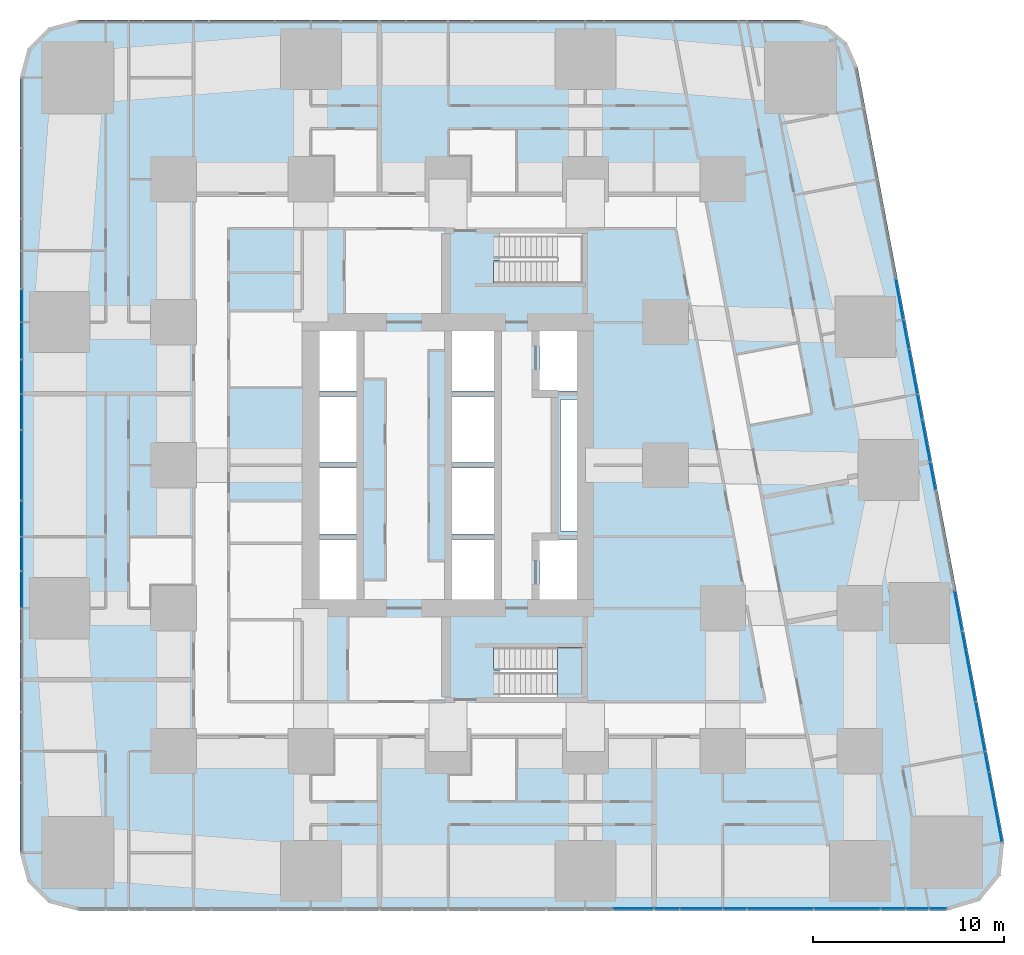
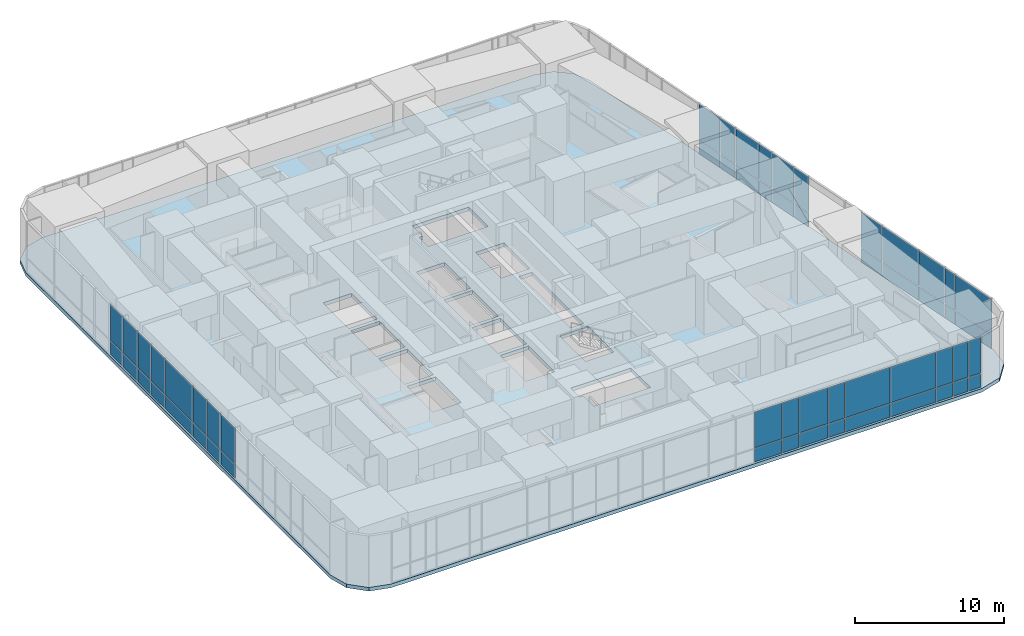
# One storey, part 10 of 22: 56 plates, 2 slabs, 4 elements without a shape of their own.
"""IFC4 building model written with IfcOpenShell, lengths in metres."""

import ifcopenshell
import ifcopenshell.guid

model = None  # the IFC model being written
_history = None  # IfcOwnerHistory: only IFC2X3 demands one
_inside = {}  # id of a spatial element -> (the spatial element, [elements in it])
_under = {}  # id of a project, library or spatial element -> (it, [spatial elements below it])
_declared = {}  # id of a project -> (the project, [libraries it declares])
_typed = {}  # id of a type object -> (the type object, [elements of that type])
_made_of = {}  # id of a material, layer set ... -> (it, [elements and type objects made of it])


def new_model(schema):
    """Start an empty IFC model of exactly this schema.

    Asked for "IFC4X3", IfcOpenShell would pick the latest addendum, in which some entities
    have other attributes; the version numbers below select the first issue.
    IFC2X3 requires an IfcOwnerHistory on every rooted entity: one is made here for all.
    """
    global model, _history
    if schema == "IFC4X3":
        model = ifcopenshell.file(schema_version=(4, 3, 0, 0))
    else:
        model = ifcopenshell.file(schema=schema)
    _inside.clear()
    _under.clear()
    _declared.clear()
    _typed.clear()
    _made_of.clear()
    _history = None
    if model.schema == "IFC2X3":
        org = make("IfcOrganization", Name="unknown")
        user = make(
            "IfcPersonAndOrganization",
            ThePerson=make("IfcPerson", FamilyName="unknown"),
            TheOrganization=org,
        )
        app = make(
            "IfcApplication",
            ApplicationDeveloper=org,
            Version="unknown",
            ApplicationFullName="unknown",
            ApplicationIdentifier="unknown",
        )
        _history = make(
            "IfcOwnerHistory",
            OwningUser=user,
            OwningApplication=app,
            ChangeAction="ADDED",
            CreationDate=0,
        )
    return model


def make(cls, **values):
    """One entity of the class cls with the attributes given. An attribute that is None is left unset."""
    return model.create_entity(
        cls, **{name: value for name, value in values.items() if value is not None}
    )


def rooted(cls, **values):
    """An entity with a GlobalId (a new one), such as an element, a storey or a relation."""
    return make(cls, GlobalId=ifcopenshell.guid.new(), OwnerHistory=_history, **values)


def si_unit(unit_type, name, prefix=None):
    """IfcSIUnit, for example si_unit("LENGTHUNIT", "METRE", prefix="MILLI")."""
    return make("IfcSIUnit", UnitType=unit_type, Prefix=prefix, Name=name)


def assignment(units):
    """IfcUnitAssignment: the units of a project."""
    return None if units is None else make("IfcUnitAssignment", Units=units)


def point(xyz):
    """IfcCartesianPoint."""
    return None if xyz is None else make("IfcCartesianPoint", Coordinates=xyz)


def direction(xyz):
    """IfcDirection."""
    return None if xyz is None else make("IfcDirection", DirectionRatios=xyz)


def frame(location, z_axis=None, x_axis=None):
    """IfcAxis2Placement3D, a coordinate frame: its origin and axes. An axis left out is left unset."""
    return make(
        "IfcAxis2Placement3D",
        Location=point(location),
        Axis=direction(z_axis),
        RefDirection=direction(x_axis),
    )


def frame_2d(location, x_axis=None):
    """IfcAxis2Placement2D, a coordinate frame in the plane: its origin and x axis."""
    return make(
        "IfcAxis2Placement2D", Location=point(location), RefDirection=direction(x_axis)
    )


def origin():
    """The frame at (0, 0, 0) with its axes left unset."""
    return frame((0.0, 0.0, 0.0))


def origin_2d():
    """The frame at (0, 0) in the plane with its x axis left unset."""
    return frame_2d((0.0, 0.0))


def place(relative_to, where):
    """IfcLocalPlacement: puts the frame where relative to a parent placement (None: the world)."""
    return make(
        "IfcLocalPlacement", PlacementRelTo=relative_to, RelativePlacement=where
    )


def context(
    kind, dimensions, precision=None, world=None, true_north=None, identifier=None
):
    """IfcGeometricRepresentationContext, for example the 3D "Model" context."""
    return make(
        "IfcGeometricRepresentationContext",
        ContextIdentifier=identifier,
        ContextType=kind,
        CoordinateSpaceDimension=dimensions,
        Precision=precision,
        WorldCoordinateSystem=world,
        TrueNorth=true_north,
    )


def subcontext(parent, identifier, kind, view, scale=None):
    """IfcGeometricRepresentationSubContext, for example "Body" below "Model"."""
    return make(
        "IfcGeometricRepresentationSubContext",
        ContextIdentifier=identifier,
        ContextType=kind,
        ParentContext=parent,
        TargetScale=scale,
        TargetView=view,
    )


def project(units=None, contexts=None):
    """IfcProject with its units and contexts."""
    return rooted(
        "IfcProject",
        Name="project",
        RepresentationContexts=contexts,
        UnitsInContext=assignment(units),
    )


def spatial(cls, under=None, at=None, **own):
    """A site, building, storey or space (cls), placed at a placement, below another one or the project."""
    s = rooted(cls, ObjectPlacement=at, **own)
    if under is not None:
        _under.setdefault(under.id(), (under, []))[1].append(s)
    return s


def polyline(points):
    """IfcPolyline through the points."""
    return make("IfcPolyline", Points=[point(p) for p in points])


def profile(cls, at=None, kind="AREA", **sizes):
    """A parametric profile (cls). Its sizes go by their IFC names, for example OverallWidth=200.0."""
    return make(cls, ProfileType=kind, Position=at, **sizes)


def rectangle(**sizes):
    """IfcRectangleProfileDef."""
    return profile("IfcRectangleProfileDef", **sizes)


def outline(outer, holes=None, kind="AREA"):
    """IfcArbitraryClosedProfileDef: a profile drawn as a closed curve; with holes, ...WithVoids."""
    if holes is None:
        return make("IfcArbitraryClosedProfileDef", ProfileType=kind, OuterCurve=outer)
    return make(
        "IfcArbitraryProfileDefWithVoids",
        ProfileType=kind,
        OuterCurve=outer,
        InnerCurves=holes,
    )


def extrude(swept, where, along, depth):
    """IfcExtrudedAreaSolid: the profile swept, set in the frame where, extruded along a direction by depth."""
    return make(
        "IfcExtrudedAreaSolid",
        SweptArea=swept,
        Position=where,
        ExtrudedDirection=direction(along),
        Depth=depth,
    )


def shape(context_of_items, identifier, shape_type, items):
    """IfcShapeRepresentation: the items that make up one representation, for example the "Body"."""
    return make(
        "IfcShapeRepresentation",
        ContextOfItems=context_of_items,
        RepresentationIdentifier=identifier,
        RepresentationType=shape_type,
        Items=items,
    )


def material(Name=None, Category=None):
    """IfcMaterial."""
    return make("IfcMaterial", Name=Name, Category=Category)


def layer(
    of_material, thickness, ventilated=None, Name=None, Category=None, Priority=None
):
    """IfcMaterialLayer: one layer of a wall or slab, of a material (None: an air gap)."""
    return make(
        "IfcMaterialLayer",
        Material=of_material,
        LayerThickness=thickness,
        IsVentilated=ventilated,
        Name=Name,
        Category=Category,
        Priority=Priority,
    )


def layer_set(layers, Name=None):
    """IfcMaterialLayerSet."""
    return make("IfcMaterialLayerSet", MaterialLayers=layers, LayerSetName=Name)


def made_of(thing, what):
    """Note that an element or type object is made of a material, layer set ...; save() writes the relation."""
    if what is not None:
        _made_of.setdefault(what.id(), (what, []))[1].append(thing)
    return thing


def type_object(cls, material=None, **own):
    """A type object (cls), such as IfcWallType, which elements share."""
    return made_of(rooted(cls, **own), material)


def element(
    cls,
    number,
    at=None,
    inside=None,
    cuts=None,
    type_object=None,
    material=None,
    context=None,
    identifier="Body",
    shape_type=None,
    held_by="IfcProductDefinitionShape",
    body=None,
    shapes=None,
    **own,
):
    """One element of the class cls, such as IfcWall. Its Tag is "e" and its number.

    at: its placement. inside: the storey or other place that contains it. cuts: it is an
    opening in that element (IfcRelVoidsElement). A single representation is given by context,
    identifier, shape_type and body (its items); several are given by shapes. held_by: the class
    of the entity that holds the representations. save() writes the other relations.
    """
    e = rooted(cls, Tag="e%d" % number, ObjectPlacement=at, **own)
    if body is not None:
        shapes = [shape(context, identifier, shape_type, body)]
    if shapes is not None:
        e.Representation = make(held_by, Representations=shapes)
    if inside is not None:
        _inside.setdefault(inside.id(), (inside, []))[1].append(e)
    if cuts is not None:
        rooted(
            "IfcRelVoidsElement", RelatingBuildingElement=cuts, RelatedOpeningElement=e
        )
    if type_object is not None:
        _typed.setdefault(type_object.id(), (type_object, []))[1].append(e)
    return made_of(e, material)


def aggregate(whole, parts):
    """IfcRelAggregates: a whole, such as a stair, and the parts it consists of."""
    return rooted("IfcRelAggregates", RelatingObject=whole, RelatedObjects=parts)


def save(model, path):
    """Write the relations noted so far, then the file.

    IfcRelAggregates (storeys below a building ...), IfcRelContainedInSpatialStructure (elements
    in a storey), IfcRelDefinesByType, IfcRelAssociatesMaterial and IfcRelDeclares: one each for
    every whole, place, type object, material and project.
    """
    for whole, parts in _under.values():
        aggregate(whole, parts)
    for where, things in _inside.values():
        rooted(
            "IfcRelContainedInSpatialStructure",
            RelatedElements=things,
            RelatingStructure=where,
        )
    for kind, things in _typed.values():
        rooted("IfcRelDefinesByType", RelatedObjects=things, RelatingType=kind)
    for what, things in _made_of.values():
        rooted("IfcRelAssociatesMaterial", RelatedObjects=things, RelatingMaterial=what)
    for by, libraries in _declared.values():
        rooted("IfcRelDeclares", RelatingContext=by, RelatedDefinitions=libraries)
    model.write(path)


model = new_model("IFC4")

# Units and contexts
model_context = context("Model", 3, precision=1e-05, world=origin(), true_north=direction((0.0, 1.0)))
body_context = subcontext(model_context, "Body", "Model", "MODEL_VIEW")
ifc_project = project(units=[si_unit("LENGTHUNIT", "METRE"), si_unit("AREAUNIT", "SQUARE_METRE"), si_unit("VOLUMEUNIT", "CUBIC_METRE"), si_unit("PLANEANGLEUNIT", "RADIAN"), si_unit("MASSUNIT", "GRAM", prefix="KILO")], contexts=[model_context])

# Site, building, storey
site_placement = place(None, origin())
site = spatial("IfcSite", under=ifc_project, at=site_placement, CompositionType="ELEMENT")
building_placement = place(site_placement, origin())
building = spatial("IfcBuilding", under=site, at=building_placement, Name="Sheger Commons Tower", CompositionType="ELEMENT")
storey_placement = place(building_placement, frame((0.0, 0.0, 10.10009765625)))
storey = spatial("IfcBuildingStorey", under=building, at=storey_placement, Name="L02", CompositionType="ELEMENT", Elevation=10.10009765625)

# Curtain wall, plates
ifc_material_1 = material(Name="Black aluminium curtain wall, dark tinted glazing", Category="aluminium")
curtain_wall_type = type_object("IfcCurtainWallType", Name="CURTAIN WALL CW2 HEALTH CENTRE", PredefinedType="USERDEFINED", material=ifc_material_1)
curtain_wall_1_placement = place(storey_placement, origin())
curtain_wall_1 = element("IfcCurtainWall", 1, at=curtain_wall_1_placement, inside=storey, type_object=curtain_wall_type, Name="Curtain Wall Cw2 Health Centre S1 L02", ObjectType="STICK CURTAIN WALL", PredefinedType="USERDEFINED")
ifc_material_2 = material(Name="Dark tinted double glazing", Category="glass")
ifc_layer_1 = layer(ifc_material_2, 0.031982421875)
ifc_layer_set_1 = layer_set([ifc_layer_1], Name="GLAZED PANEL 32")
plate_type = type_object("IfcPlateType", Name="GLAZED PANEL 32", PredefinedType="CURTAIN_PANEL", material=ifc_layer_set_1)
plate_1_placement = place(storey_placement, frame((31.321044921875, -0.75, 0.06494140625), z_axis=(0.0, 0.0, 1.0), x_axis=(1.0, 0.0, 0.0)))
plate_1 = element("IfcPlate", 2, at=plate_1_placement, type_object=plate_type, Name="CW2 panel 16.1", PredefinedType="CURTAIN_PANEL", context=body_context, shape_type="SweptSolid", body=[
    extrude(rectangle(XDim=2.093017578125, YDim=0.031982421875, at=origin_2d()), origin(), (0.0, 0.0, 1.0), 1.1025390625),
])
plate_2_placement = place(storey_placement, frame((31.321044921875, -0.75, 1.232421875), z_axis=(0.0, 0.0, 1.0), x_axis=(1.0, 0.0, 0.0)))
plate_2 = element("IfcPlate", 3, at=plate_2_placement, type_object=plate_type, Name="CW2 panel 16.2", PredefinedType="CURTAIN_PANEL", context=body_context, shape_type="SweptSolid", body=[
    extrude(rectangle(XDim=2.093017578125, YDim=0.031982421875, at=origin_2d()), origin(), (0.0, 0.0, 1.0), 2.902587890625),
])
plate_3_placement = place(storey_placement, frame((33.075927734375, -0.75, 0.06494140625), z_axis=(0.0, 0.0, 1.0), x_axis=(1.0, 0.0, 0.0)))
plate_3 = element("IfcPlate", 4, at=plate_3_placement, type_object=plate_type, Name="CW2 panel 17.1", PredefinedType="CURTAIN_PANEL", context=body_context, shape_type="SweptSolid", body=[
    extrude(rectangle(XDim=1.287109375, YDim=0.031982421875, at=origin_2d()), origin(), (0.0, 0.0, 1.0), 1.1025390625),
])
plate_4_placement = place(storey_placement, frame((33.075927734375, -0.75, 1.232421875), z_axis=(0.0, 0.0, 1.0), x_axis=(1.0, 0.0, 0.0)))
plate_4 = element("IfcPlate", 5, at=plate_4_placement, type_object=plate_type, Name="CW2 panel 17.2", PredefinedType="CURTAIN_PANEL", context=body_context, shape_type="SweptSolid", body=[
    extrude(rectangle(XDim=1.287109375, YDim=0.031982421875, at=origin_2d()), origin(), (0.0, 0.0, 1.0), 2.902587890625),
])
plate_5_placement = place(storey_placement, frame((34.8759765625, -0.75, 0.06494140625), z_axis=(0.0, 0.0, 1.0), x_axis=(1.0, 0.0, 0.0)))
plate_5 = element("IfcPlate", 6, at=plate_5_placement, type_object=plate_type, Name="CW2 panel 18.1", PredefinedType="CURTAIN_PANEL", context=body_context, shape_type="SweptSolid", body=[
    extrude(rectangle(XDim=2.18310546875, YDim=0.031982421875, at=origin_2d()), origin(), (0.0, 0.0, 1.0), 1.1025390625),
])
plate_6_placement = place(storey_placement, frame((34.8759765625, -0.75, 1.232421875), z_axis=(0.0, 0.0, 1.0), x_axis=(1.0, 0.0, 0.0)))
plate_6 = element("IfcPlate", 7, at=plate_6_placement, type_object=plate_type, Name="CW2 panel 18.2", PredefinedType="CURTAIN_PANEL", context=body_context, shape_type="SweptSolid", body=[
    extrude(rectangle(XDim=2.18310546875, YDim=0.031982421875, at=origin_2d()), origin(), (0.0, 0.0, 1.0), 2.902587890625),
])
plate_7_placement = place(storey_placement, frame((36.630615234375, -0.75, 0.06494140625), z_axis=(0.0, 0.0, 1.0), x_axis=(1.0, 0.0, 0.0)))
plate_7 = element("IfcPlate", 8, at=plate_7_placement, type_object=plate_type, Name="CW2 panel 19.1", PredefinedType="CURTAIN_PANEL", context=body_context, shape_type="SweptSolid", body=[
    extrude(rectangle(XDim=1.196044921875, YDim=0.031982421875, at=origin_2d()), origin(), (0.0, 0.0, 1.0), 1.1025390625),
])
plate_8_placement = place(storey_placement, frame((36.630615234375, -0.75, 1.232421875), z_axis=(0.0, 0.0, 1.0), x_axis=(1.0, 0.0, 0.0)))
plate_8 = element("IfcPlate", 9, at=plate_8_placement, type_object=plate_type, Name="CW2 panel 19.2", PredefinedType="CURTAIN_PANEL", context=body_context, shape_type="SweptSolid", body=[
    extrude(rectangle(XDim=1.196044921875, YDim=0.031982421875, at=origin_2d()), origin(), (0.0, 0.0, 1.0), 2.902587890625),
])
plate_9_placement = place(storey_placement, frame((39.01611328125, -0.75, 0.06494140625), z_axis=(0.0, 0.0, 1.0), x_axis=(1.0, 0.0, 0.0)))
plate_9 = element("IfcPlate", 10, at=plate_9_placement, type_object=plate_type, Name="CW2 panel 20.1", PredefinedType="CURTAIN_PANEL", context=body_context, shape_type="SweptSolid", body=[
    extrude(rectangle(XDim=3.445068359375, YDim=0.031982421875, at=origin_2d()), origin(), (0.0, 0.0, 1.0), 1.1025390625),
])
plate_10_placement = place(storey_placement, frame((39.01611328125, -0.75, 1.232421875), z_axis=(0.0, 0.0, 1.0), x_axis=(1.0, 0.0, 0.0)))
plate_10 = element("IfcPlate", 11, at=plate_10_placement, type_object=plate_type, Name="CW2 panel 20.2", PredefinedType="CURTAIN_PANEL", context=body_context, shape_type="SweptSolid", body=[
    extrude(rectangle(XDim=3.445068359375, YDim=0.031982421875, at=origin_2d()), origin(), (0.0, 0.0, 1.0), 2.902587890625),
])
plate_11_placement = place(storey_placement, frame((42.52587890625, -0.75, 0.06494140625), z_axis=(0.0, 0.0, 1.0), x_axis=(1.0, 0.0, 0.0)))
plate_11 = element("IfcPlate", 12, at=plate_11_placement, type_object=plate_type, Name="CW2 panel 21.1", PredefinedType="CURTAIN_PANEL", context=body_context, shape_type="SweptSolid", body=[
    extrude(rectangle(XDim=3.445068359375, YDim=0.031982421875, at=origin_2d()), origin(), (0.0, 0.0, 1.0), 1.1025390625),
])
plate_12_placement = place(storey_placement, frame((42.52587890625, -0.75, 1.232421875), z_axis=(0.0, 0.0, 1.0), x_axis=(1.0, 0.0, 0.0)))
plate_12 = element("IfcPlate", 13, at=plate_12_placement, type_object=plate_type, Name="CW2 panel 21.2", PredefinedType="CURTAIN_PANEL", context=body_context, shape_type="SweptSolid", body=[
    extrude(rectangle(XDim=3.445068359375, YDim=0.031982421875, at=origin_2d()), origin(), (0.0, 0.0, 1.0), 2.902587890625),
])
plate_13_placement = place(storey_placement, frame((44.943603515625, -0.75, 0.06494140625), z_axis=(0.0, 0.0, 1.0), x_axis=(1.0, 0.0, 0.0)))
plate_13 = element("IfcPlate", 14, at=plate_13_placement, type_object=plate_type, Name="CW2 panel 22.1", PredefinedType="CURTAIN_PANEL", context=body_context, shape_type="SweptSolid", body=[
    extrude(rectangle(XDim=1.260009765625, YDim=0.031982421875, at=origin_2d()), origin(), (0.0, 0.0, 1.0), 1.1025390625),
])
plate_14_placement = place(storey_placement, frame((44.943603515625, -0.75, 1.232421875), z_axis=(0.0, 0.0, 1.0), x_axis=(1.0, 0.0, 0.0)))
plate_14 = element("IfcPlate", 15, at=plate_14_placement, type_object=plate_type, Name="CW2 panel 22.2", PredefinedType="CURTAIN_PANEL", context=body_context, shape_type="SweptSolid", body=[
    extrude(rectangle(XDim=1.260009765625, YDim=0.031982421875, at=origin_2d()), origin(), (0.0, 0.0, 1.0), 2.902587890625),
])
plate_15_placement = place(storey_placement, frame((46.216552734375, -0.75, 0.06494140625), z_axis=(0.0, 0.0, 1.0), x_axis=(1.0, 0.0, 0.0)))
plate_15 = element("IfcPlate", 16, at=plate_15_placement, type_object=plate_type, Name="CW2 panel 23.1", PredefinedType="CURTAIN_PANEL", context=body_context, shape_type="SweptSolid", body=[
    extrude(rectangle(XDim=1.156005859375, YDim=0.031982421875, at=origin_2d()), origin(), (0.0, 0.0, 1.0), 1.1025390625),
])
plate_16_placement = place(storey_placement, frame((46.216552734375, -0.75, 1.232421875), z_axis=(0.0, 0.0, 1.0), x_axis=(1.0, 0.0, 0.0)))
plate_16 = element("IfcPlate", 17, at=plate_16_placement, type_object=plate_type, Name="CW2 panel 23.2", PredefinedType="CURTAIN_PANEL", context=body_context, shape_type="SweptSolid", body=[
    extrude(rectangle(XDim=1.156005859375, YDim=0.031982421875, at=origin_2d()), origin(), (0.0, 0.0, 1.0), 2.902587890625),
])
plate_17_placement = place(storey_placement, frame((47.292724609375, -0.75, 0.06494140625), z_axis=(0.0, 0.0, 1.0), x_axis=(1.0, 0.0, 0.0)))
plate_17 = element("IfcPlate", 18, at=plate_17_placement, type_object=plate_type, Name="CW2 panel 24.1", PredefinedType="CURTAIN_PANEL", context=body_context, shape_type="SweptSolid", body=[
    extrude(rectangle(XDim=0.866455078125, YDim=0.031982421875, at=origin_2d()), origin(), (0.0, 0.0, 1.0), 1.1025390625),
])
plate_18_placement = place(storey_placement, frame((47.292724609375, -0.75, 1.232421875), z_axis=(0.0, 0.0, 1.0), x_axis=(1.0, 0.0, 0.0)))
plate_18 = element("IfcPlate", 19, at=plate_18_placement, type_object=plate_type, Name="CW2 panel 24.2", PredefinedType="CURTAIN_PANEL", context=body_context, shape_type="SweptSolid", body=[
    extrude(rectangle(XDim=0.866455078125, YDim=0.031982421875, at=origin_2d()), origin(), (0.0, 0.0, 1.0), 2.902587890625),
])
aggregate(curtain_wall_1, [plate_1, plate_2, plate_3, plate_4, plate_5, plate_6, plate_7, plate_8, plate_9, plate_10, plate_11, plate_12, plate_13, plate_14, plate_15, plate_16, plate_17, plate_18])

curtain_wall_2_placement = place(storey_placement, origin())
curtain_wall_2 = element("IfcCurtainWall", 20, at=curtain_wall_2_placement, inside=storey, type_object=curtain_wall_type, Name="Curtain Wall Cw2 Health Centre E1 L02", ObjectType="STICK CURTAIN WALL", PredefinedType="USERDEFINED")
plate_19_placement = place(storey_placement, frame((50.30078125, 4.56787109375, 0.06494140625), z_axis=(0.0, 0.0, 1.0), x_axis=(-0.185609884918, 0.982623514181, 0.0)))
plate_19 = element("IfcPlate", 21, at=plate_19_placement, type_object=plate_type, Name="CW2 panel 1.1", PredefinedType="CURTAIN_PANEL", context=body_context, shape_type="SweptSolid", body=[
    extrude(rectangle(XDim=3.66552734375, YDim=0.031982421875, at=origin_2d()), origin(), (0.0, 0.0, 1.0), 1.1025390625),
])
plate_20_placement = place(storey_placement, frame((50.30078125, 4.56787109375, 1.232421875), z_axis=(0.0, 0.0, 1.0), x_axis=(-0.185609884918, 0.982623514181, 0.0)))
plate_20 = element("IfcPlate", 22, at=plate_20_placement, type_object=plate_type, Name="CW2 panel 1.2", PredefinedType="CURTAIN_PANEL", context=body_context, shape_type="SweptSolid", body=[
    extrude(rectangle(XDim=3.66552734375, YDim=0.031982421875, at=origin_2d()), origin(), (0.0, 0.0, 1.0), 2.902587890625),
])
plate_21_placement = place(storey_placement, frame((49.8525390625, 6.941162109375, 0.06494140625), z_axis=(0.0, 0.0, 1.0), x_axis=(-0.185609884918, 0.982623514181, 0.0)))
plate_21 = element("IfcPlate", 23, at=plate_21_placement, type_object=plate_type, Name="CW2 panel 2.1", PredefinedType="CURTAIN_PANEL", context=body_context, shape_type="SweptSolid", body=[
    extrude(rectangle(XDim=1.034912109375, YDim=0.031982421875, at=origin_2d()), origin(), (0.0, 0.0, 1.0), 1.1025390625),
])
plate_22_placement = place(storey_placement, frame((49.8525390625, 6.941162109375, 1.232421875), z_axis=(0.0, 0.0, 1.0), x_axis=(-0.185609884918, 0.982623514181, 0.0)))
plate_22 = element("IfcPlate", 24, at=plate_22_placement, type_object=plate_type, Name="CW2 panel 2.2", PredefinedType="CURTAIN_PANEL", context=body_context, shape_type="SweptSolid", body=[
    extrude(rectangle(XDim=1.034912109375, YDim=0.031982421875, at=origin_2d()), origin(), (0.0, 0.0, 1.0), 2.902587890625),
])
plate_23_placement = place(storey_placement, frame((49.503173828125, 8.789794921875, 0.06494140625), z_axis=(0.0, 0.0, 1.0), x_axis=(-0.185609884918, 0.982623514181, 0.0)))
plate_23 = element("IfcPlate", 25, at=plate_23_placement, type_object=plate_type, Name="CW2 panel 3.1", PredefinedType="CURTAIN_PANEL", context=body_context, shape_type="SweptSolid", body=[
    extrude(rectangle(XDim=2.597900390625, YDim=0.031982421875, at=origin_2d()), origin(), (0.0, 0.0, 1.0), 1.1025390625),
])
plate_24_placement = place(storey_placement, frame((49.503173828125, 8.789794921875, 1.232421875), z_axis=(0.0, 0.0, 1.0), x_axis=(-0.185609884918, 0.982623514181, 0.0)))
plate_24 = element("IfcPlate", 26, at=plate_24_placement, type_object=plate_type, Name="CW2 panel 3.2", PredefinedType="CURTAIN_PANEL", context=body_context, shape_type="SweptSolid", body=[
    extrude(rectangle(XDim=2.597900390625, YDim=0.031982421875, at=origin_2d()), origin(), (0.0, 0.0, 1.0), 2.902587890625),
])
plate_25_placement = place(storey_placement, frame((48.906982421875, 11.947021484375, 0.06494140625), z_axis=(0.0, 0.0, 1.0), x_axis=(-0.185609884918, 0.982623514181, 0.0)))
plate_25 = element("IfcPlate", 27, at=plate_25_placement, type_object=plate_type, Name="CW2 panel 4.1", PredefinedType="CURTAIN_PANEL", context=body_context, shape_type="SweptSolid", body=[
    extrude(rectangle(XDim=3.697998046875, YDim=0.031982421875, at=origin_2d()), origin(), (0.0, 0.0, 1.0), 1.1025390625),
])
plate_26_placement = place(storey_placement, frame((48.906982421875, 11.947021484375, 1.232421875), z_axis=(0.0, 0.0, 1.0), x_axis=(-0.185609884918, 0.982623514181, 0.0)))
plate_26 = element("IfcPlate", 28, at=plate_26_placement, type_object=plate_type, Name="CW2 panel 4.2", PredefinedType="CURTAIN_PANEL", context=body_context, shape_type="SweptSolid", body=[
    extrude(rectangle(XDim=3.697998046875, YDim=0.031982421875, at=origin_2d()), origin(), (0.0, 0.0, 1.0), 2.902587890625),
])
plate_27_placement = place(storey_placement, frame((48.355712890625, 14.865478515625, 0.06494140625), z_axis=(0.0, 0.0, 1.0), x_axis=(-0.185609884918, 0.982623514181, 0.0)))
plate_27 = element("IfcPlate", 29, at=plate_27_placement, type_object=plate_type, Name="CW2 panel 5.1", PredefinedType="CURTAIN_PANEL", context=body_context, shape_type="SweptSolid", body=[
    extrude(rectangle(XDim=2.112060546875, YDim=0.031982421875, at=origin_2d()), origin(), (0.0, 0.0, 1.0), 1.1025390625),
])
plate_28_placement = place(storey_placement, frame((48.355712890625, 14.865478515625, 1.232421875), z_axis=(0.0, 0.0, 1.0), x_axis=(-0.185609884918, 0.982623514181, 0.0)))
plate_28 = element("IfcPlate", 30, at=plate_28_placement, type_object=plate_type, Name="CW2 panel 5.2", PredefinedType="CURTAIN_PANEL", context=body_context, shape_type="SweptSolid", body=[
    extrude(rectangle(XDim=2.112060546875, YDim=0.031982421875, at=origin_2d()), origin(), (0.0, 0.0, 1.0), 2.902587890625),
])
plate_29_placement = place(storey_placement, frame((47.0205078125, 21.932861328125, 0.06494140625), z_axis=(0.0, 0.0, 1.0), x_axis=(-0.185609884918, 0.982623514181, 0.0)))
plate_29 = element("IfcPlate", 31, at=plate_29_placement, type_object=plate_type, Name="CW2 panel 9.1", PredefinedType="CURTAIN_PANEL", context=body_context, shape_type="SweptSolid", body=[
    extrude(rectangle(XDim=1.445068359375, YDim=0.031982421875, at=origin_2d()), origin(), (0.0, 0.0, 1.0), 1.1025390625),
])
plate_30_placement = place(storey_placement, frame((47.0205078125, 21.932861328125, 1.232421875), z_axis=(0.0, 0.0, 1.0), x_axis=(-0.185609884918, 0.982623514181, 0.0)))
plate_30 = element("IfcPlate", 32, at=plate_30_placement, type_object=plate_type, Name="CW2 panel 9.2", PredefinedType="CURTAIN_PANEL", context=body_context, shape_type="SweptSolid", body=[
    extrude(rectangle(XDim=1.445068359375, YDim=0.031982421875, at=origin_2d()), origin(), (0.0, 0.0, 1.0), 2.902587890625),
])
plate_31_placement = place(storey_placement, frame((46.67138671875, 23.78173828125, 0.06494140625), z_axis=(0.0, 0.0, 1.0), x_axis=(-0.185609884918, 0.982623514181, 0.0)))
plate_31 = element("IfcPlate", 33, at=plate_31_placement, type_object=plate_type, Name="CW2 panel 10.1", PredefinedType="CURTAIN_PANEL", context=body_context, shape_type="SweptSolid", body=[
    extrude(rectangle(XDim=2.18798828125, YDim=0.031982421875, at=origin_2d()), origin(), (0.0, 0.0, 1.0), 1.1025390625),
])
plate_32_placement = place(storey_placement, frame((46.67138671875, 23.78173828125, 1.232421875), z_axis=(0.0, 0.0, 1.0), x_axis=(-0.185609884918, 0.982623514181, 0.0)))
plate_32 = element("IfcPlate", 34, at=plate_32_placement, type_object=plate_type, Name="CW2 panel 10.2", PredefinedType="CURTAIN_PANEL", context=body_context, shape_type="SweptSolid", body=[
    extrude(rectangle(XDim=2.18798828125, YDim=0.031982421875, at=origin_2d()), origin(), (0.0, 0.0, 1.0), 2.902587890625),
])
plate_33_placement = place(storey_placement, frame((46.33544921875, 25.559814453125, 0.06494140625), z_axis=(0.0, 0.0, 1.0), x_axis=(-0.185609884918, 0.982623514181, 0.0)))
plate_33 = element("IfcPlate", 35, at=plate_33_placement, type_object=plate_type, Name="CW2 panel 11.1", PredefinedType="CURTAIN_PANEL", context=body_context, shape_type="SweptSolid", body=[
    extrude(rectangle(XDim=1.301025390625, YDim=0.031982421875, at=origin_2d()), origin(), (0.0, 0.0, 1.0), 1.1025390625),
])
plate_34_placement = place(storey_placement, frame((46.33544921875, 25.559814453125, 1.232421875), z_axis=(0.0, 0.0, 1.0), x_axis=(-0.185609884918, 0.982623514181, 0.0)))
plate_34 = element("IfcPlate", 36, at=plate_34_placement, type_object=plate_type, Name="CW2 panel 11.2", PredefinedType="CURTAIN_PANEL", context=body_context, shape_type="SweptSolid", body=[
    extrude(rectangle(XDim=1.301025390625, YDim=0.031982421875, at=origin_2d()), origin(), (0.0, 0.0, 1.0), 2.902587890625),
])
plate_35_placement = place(storey_placement, frame((45.986328125, 27.40869140625, 0.06494140625), z_axis=(0.0, 0.0, 1.0), x_axis=(-0.185609884918, 0.982623514181, 0.0)))
plate_35 = element("IfcPlate", 37, at=plate_35_placement, type_object=plate_type, Name="CW2 panel 12.1", PredefinedType="CURTAIN_PANEL", context=body_context, shape_type="SweptSolid", body=[
    extrude(rectangle(XDim=2.33203125, YDim=0.031982421875, at=origin_2d()), origin(), (0.0, 0.0, 1.0), 1.1025390625),
])
plate_36_placement = place(storey_placement, frame((45.986328125, 27.40869140625, 1.232421875), z_axis=(0.0, 0.0, 1.0), x_axis=(-0.185609884918, 0.982623514181, 0.0)))
plate_36 = element("IfcPlate", 38, at=plate_36_placement, type_object=plate_type, Name="CW2 panel 12.2", PredefinedType="CURTAIN_PANEL", context=body_context, shape_type="SweptSolid", body=[
    extrude(rectangle(XDim=2.33203125, YDim=0.031982421875, at=origin_2d()), origin(), (0.0, 0.0, 1.0), 2.902587890625),
])
plate_37_placement = place(storey_placement, frame((45.6171875, 29.362548828125, 0.06494140625), z_axis=(0.0, 0.0, 1.0), x_axis=(-0.185609884918, 0.982623514181, 0.0)))
plate_37 = element("IfcPlate", 39, at=plate_37_placement, type_object=plate_type, Name="CW2 panel 13.1", PredefinedType="CURTAIN_PANEL", context=body_context, shape_type="SweptSolid", body=[
    extrude(rectangle(XDim=1.514892578125, YDim=0.031982421875, at=origin_2d()), origin(), (0.0, 0.0, 1.0), 1.1025390625),
])
plate_38_placement = place(storey_placement, frame((45.6171875, 29.362548828125, 1.232421875), z_axis=(0.0, 0.0, 1.0), x_axis=(-0.185609884918, 0.982623514181, 0.0)))
plate_38 = element("IfcPlate", 40, at=plate_38_placement, type_object=plate_type, Name="CW2 panel 13.2", PredefinedType="CURTAIN_PANEL", context=body_context, shape_type="SweptSolid", body=[
    extrude(rectangle(XDim=1.514892578125, YDim=0.031982421875, at=origin_2d()), origin(), (0.0, 0.0, 1.0), 2.902587890625),
])
plate_39_placement = place(storey_placement, frame((45.26806640625, 31.21142578125, 0.06494140625), z_axis=(0.0, 0.0, 1.0), x_axis=(-0.185609884918, 0.982623514181, 0.0)))
plate_39 = element("IfcPlate", 41, at=plate_39_placement, type_object=plate_type, Name="CW2 panel 14.1", PredefinedType="CURTAIN_PANEL", context=body_context, shape_type="SweptSolid", body=[
    extrude(rectangle(XDim=2.117919921875, YDim=0.031982421875, at=origin_2d()), origin(), (0.0, 0.0, 1.0), 1.1025390625),
])
plate_40_placement = place(storey_placement, frame((45.26806640625, 31.21142578125, 1.232421875), z_axis=(0.0, 0.0, 1.0), x_axis=(-0.185609884918, 0.982623514181, 0.0)))
plate_40 = element("IfcPlate", 42, at=plate_40_placement, type_object=plate_type, Name="CW2 panel 14.2", PredefinedType="CURTAIN_PANEL", context=body_context, shape_type="SweptSolid", body=[
    extrude(rectangle(XDim=2.117919921875, YDim=0.031982421875, at=origin_2d()), origin(), (0.0, 0.0, 1.0), 2.902587890625),
])
aggregate(curtain_wall_2, [plate_19, plate_20, plate_21, plate_22, plate_23, plate_24, plate_25, plate_26, plate_27, plate_28, plate_29, plate_30, plate_31, plate_32, plate_33, plate_34, plate_35, plate_36, plate_37, plate_38, plate_39, plate_40])

curtain_wall_3_placement = place(storey_placement, origin())
curtain_wall_3 = element("IfcCurtainWall", 43, at=curtain_wall_3_placement, inside=storey, type_object=curtain_wall_type, Name="Curtain Wall Cw2 Health Centre W1 L02", ObjectType="STICK CURTAIN WALL", PredefinedType="USERDEFINED")
plate_41_placement = place(storey_placement, frame((-0.75, 30.8720703125, 0.06494140625), z_axis=(0.0, 0.0, 1.0), x_axis=(0.0, -1.0, 0.0)))
plate_41 = element("IfcPlate", 44, at=plate_41_placement, type_object=plate_type, Name="CW2 panel 5.1", PredefinedType="CURTAIN_PANEL", context=body_context, shape_type="SweptSolid", body=[
    extrude(rectangle(XDim=1.678955078125, YDim=0.031982421875, at=origin_2d()), origin(), (0.0, 0.0, 1.0), 1.1025390625),
])
plate_42_placement = place(storey_placement, frame((-0.75, 30.8720703125, 1.232421875), z_axis=(0.0, 0.0, 1.0), x_axis=(0.0, -1.0, 0.0)))
plate_42 = element("IfcPlate", 45, at=plate_42_placement, type_object=plate_type, Name="CW2 panel 5.2", PredefinedType="CURTAIN_PANEL", context=body_context, shape_type="SweptSolid", body=[
    extrude(rectangle(XDim=1.678955078125, YDim=0.031982421875, at=origin_2d()), origin(), (0.0, 0.0, 1.0), 2.902587890625),
])
plate_43_placement = place(storey_placement, frame((-0.75, 29.02294921875, 0.06494140625), z_axis=(0.0, 0.0, 1.0), x_axis=(0.0, -1.0, 0.0)))
plate_43 = element("IfcPlate", 46, at=plate_43_placement, type_object=plate_type, Name="CW2 panel 6.1", PredefinedType="CURTAIN_PANEL", context=body_context, shape_type="SweptSolid", body=[
    extrude(rectangle(XDim=1.888916015625, YDim=0.031982421875, at=origin_2d()), origin(), (0.0, 0.0, 1.0), 1.1025390625),
])
plate_44_placement = place(storey_placement, frame((-0.75, 29.02294921875, 1.232421875), z_axis=(0.0, 0.0, 1.0), x_axis=(0.0, -1.0, 0.0)))
plate_44 = element("IfcPlate", 47, at=plate_44_placement, type_object=plate_type, Name="CW2 panel 6.2", PredefinedType="CURTAIN_PANEL", context=body_context, shape_type="SweptSolid", body=[
    extrude(rectangle(XDim=1.888916015625, YDim=0.031982421875, at=origin_2d()), origin(), (0.0, 0.0, 1.0), 2.902587890625),
])
plate_45_placement = place(storey_placement, frame((-0.75, 27.14794921875, 0.06494140625), z_axis=(0.0, 0.0, 1.0), x_axis=(0.0, -1.0, 0.0)))
plate_45 = element("IfcPlate", 48, at=plate_45_placement, type_object=plate_type, Name="CW2 panel 7.1", PredefinedType="CURTAIN_PANEL", context=body_context, shape_type="SweptSolid", body=[
    extrude(rectangle(XDim=1.73095703125, YDim=0.031982421875, at=origin_2d()), origin(), (0.0, 0.0, 1.0), 1.1025390625),
])
plate_46_placement = place(storey_placement, frame((-0.75, 27.14794921875, 1.232421875), z_axis=(0.0, 0.0, 1.0), x_axis=(0.0, -1.0, 0.0)))
plate_46 = element("IfcPlate", 49, at=plate_46_placement, type_object=plate_type, Name="CW2 panel 7.2", PredefinedType="CURTAIN_PANEL", context=body_context, shape_type="SweptSolid", body=[
    extrude(rectangle(XDim=1.73095703125, YDim=0.031982421875, at=origin_2d()), origin(), (0.0, 0.0, 1.0), 2.902587890625),
])
plate_47_placement = place(storey_placement, frame((-0.75, 25.299560546875, 0.06494140625), z_axis=(0.0, 0.0, 1.0), x_axis=(0.0, -1.0, 0.0)))
plate_47 = element("IfcPlate", 50, at=plate_47_placement, type_object=plate_type, Name="CW2 panel 8.1", PredefinedType="CURTAIN_PANEL", context=body_context, shape_type="SweptSolid", body=[
    extrude(rectangle(XDim=1.8359375, YDim=0.031982421875, at=origin_2d()), origin(), (0.0, 0.0, 1.0), 1.1025390625),
])
plate_48_placement = place(storey_placement, frame((-0.75, 25.299560546875, 1.232421875), z_axis=(0.0, 0.0, 1.0), x_axis=(0.0, -1.0, 0.0)))
plate_48 = element("IfcPlate", 51, at=plate_48_placement, type_object=plate_type, Name="CW2 panel 8.2", PredefinedType="CURTAIN_PANEL", context=body_context, shape_type="SweptSolid", body=[
    extrude(rectangle(XDim=1.8359375, YDim=0.031982421875, at=origin_2d()), origin(), (0.0, 0.0, 1.0), 2.902587890625),
])
plate_49_placement = place(storey_placement, frame((-0.75, 22.5, 0.06494140625), z_axis=(0.0, 0.0, 1.0), x_axis=(0.0, -1.0, 0.0)))
plate_49 = element("IfcPlate", 52, at=plate_49_placement, type_object=plate_type, Name="CW2 panel 9.1", PredefinedType="CURTAIN_PANEL", context=body_context, shape_type="SweptSolid", body=[
    extrude(rectangle(XDim=3.633056640625, YDim=0.031982421875, at=origin_2d()), origin(), (0.0, 0.0, 1.0), 1.1025390625),
])
plate_50_placement = place(storey_placement, frame((-0.75, 22.5, 1.232421875), z_axis=(0.0, 0.0, 1.0), x_axis=(0.0, -1.0, 0.0)))
plate_50 = element("IfcPlate", 53, at=plate_50_placement, type_object=plate_type, Name="CW2 panel 9.2", PredefinedType="CURTAIN_PANEL", context=body_context, shape_type="SweptSolid", body=[
    extrude(rectangle(XDim=3.633056640625, YDim=0.031982421875, at=origin_2d()), origin(), (0.0, 0.0, 1.0), 2.902587890625),
])
plate_51_placement = place(storey_placement, frame((-0.75, 19.700439453125, 0.06494140625), z_axis=(0.0, 0.0, 1.0), x_axis=(0.0, -1.0, 0.0)))
plate_51 = element("IfcPlate", 54, at=plate_51_placement, type_object=plate_type, Name="CW2 panel 10.1", PredefinedType="CURTAIN_PANEL", context=body_context, shape_type="SweptSolid", body=[
    extrude(rectangle(XDim=1.8359375, YDim=0.031982421875, at=origin_2d()), origin(), (0.0, 0.0, 1.0), 1.1025390625),
])
plate_52_placement = place(storey_placement, frame((-0.75, 19.700439453125, 1.232421875), z_axis=(0.0, 0.0, 1.0), x_axis=(0.0, -1.0, 0.0)))
plate_52 = element("IfcPlate", 55, at=plate_52_placement, type_object=plate_type, Name="CW2 panel 10.2", PredefinedType="CURTAIN_PANEL", context=body_context, shape_type="SweptSolid", body=[
    extrude(rectangle(XDim=1.8359375, YDim=0.031982421875, at=origin_2d()), origin(), (0.0, 0.0, 1.0), 2.902587890625),
])
plate_53_placement = place(storey_placement, frame((-0.75, 17.85205078125, 0.06494140625), z_axis=(0.0, 0.0, 1.0), x_axis=(0.0, -1.0, 0.0)))
plate_53 = element("IfcPlate", 56, at=plate_53_placement, type_object=plate_type, Name="CW2 panel 11.1", PredefinedType="CURTAIN_PANEL", context=body_context, shape_type="SweptSolid", body=[
    extrude(rectangle(XDim=1.73095703125, YDim=0.031982421875, at=origin_2d()), origin(), (0.0, 0.0, 1.0), 1.1025390625),
])
plate_54_placement = place(storey_placement, frame((-0.75, 17.85205078125, 1.232421875), z_axis=(0.0, 0.0, 1.0), x_axis=(0.0, -1.0, 0.0)))
plate_54 = element("IfcPlate", 57, at=plate_54_placement, type_object=plate_type, Name="CW2 panel 11.2", PredefinedType="CURTAIN_PANEL", context=body_context, shape_type="SweptSolid", body=[
    extrude(rectangle(XDim=1.73095703125, YDim=0.031982421875, at=origin_2d()), origin(), (0.0, 0.0, 1.0), 2.902587890625),
])
plate_55_placement = place(storey_placement, frame((-0.75, 15.97705078125, 0.06494140625), z_axis=(0.0, 0.0, 1.0), x_axis=(0.0, -1.0, 0.0)))
plate_55 = element("IfcPlate", 58, at=plate_55_placement, type_object=plate_type, Name="CW2 panel 12.1", PredefinedType="CURTAIN_PANEL", context=body_context, shape_type="SweptSolid", body=[
    extrude(rectangle(XDim=1.888916015625, YDim=0.031982421875, at=origin_2d()), origin(), (0.0, 0.0, 1.0), 1.1025390625),
])
plate_56_placement = place(storey_placement, frame((-0.75, 15.97705078125, 1.232421875), z_axis=(0.0, 0.0, 1.0), x_axis=(0.0, -1.0, 0.0)))
plate_56 = element("IfcPlate", 59, at=plate_56_placement, type_object=plate_type, Name="CW2 panel 12.2", PredefinedType="CURTAIN_PANEL", context=body_context, shape_type="SweptSolid", body=[
    extrude(rectangle(XDim=1.888916015625, YDim=0.031982421875, at=origin_2d()), origin(), (0.0, 0.0, 1.0), 2.902587890625),
])
aggregate(curtain_wall_3, [plate_41, plate_42, plate_43, plate_44, plate_45, plate_46, plate_47, plate_48, plate_49, plate_50, plate_51, plate_52, plate_53, plate_54, plate_55, plate_56])

# Slab
ifc_material_3 = material(Name="Concrete C35/45", Category="concrete")
ifc_layer_2 = layer(ifc_material_3, 0.300048828125)
ifc_layer_set_2 = layer_set([ifc_layer_2], Name="SLAB FLOOR 300")
slab_type_1 = type_object("IfcSlabType", Name="SLAB FLOOR 300", PredefinedType="FLOOR", material=ifc_layer_set_2)
slab_1_placement = place(storey_placement, frame((0.0, 0.0, -0.300048828125)))
element("IfcSlab", 60, at=slab_1_placement, inside=storey, type_object=slab_type_1, Name="L02 floor slab", PredefinedType="FLOOR", context=body_context, shape_type="SweptSolid", body=[
    extrude(outline(polyline([(-0.85009765625, 2.14990234375), (-0.447998046875, 0.64990234375), (0.64990234375, -0.447998046875), (2.14990234375, -0.85009765625), (47.805908203125, -0.85009765625), (49.465087890625, -0.35009765625), (50.570068359375, 0.98388671875), (50.75390625, 2.70703125), (43.06591796875, 43.406982421875), (42.509033203125, 44.660888671875), (41.452880859375, 45.535888671875), (40.117919921875, 45.85009765625), (2.14990234375, 45.85009765625), (0.64990234375, 45.447998046875), (-0.447998046875, 44.35009765625), (-0.85009765625, 42.85009765625), (-0.85009765625, 2.14990234375)]), holes=[polyline([(24.2900390625, 10.35009765625), (28.64990234375, 10.35009765625), (28.64990234375, 12.949951171875), (23.990966796875, 12.949951171875), (23.990966796875, 11.75), (24.2900390625, 11.75), (24.2900390625, 10.35009765625)]), polyline([(23.990966796875, 32.050048828125), (28.64990234375, 32.050048828125), (28.64990234375, 34.64990234375), (24.2900390625, 34.64990234375), (24.2900390625, 33.25), (23.990966796875, 33.25), (23.990966796875, 32.050048828125)]), polyline([(26.39990234375, 15.14990234375), (28.60009765625, 15.14990234375), (28.60009765625, 18.60009765625), (26.39990234375, 18.60009765625), (26.39990234375, 15.14990234375)]), polyline([(26.39990234375, 26.39990234375), (28.60009765625, 26.39990234375), (28.60009765625, 29.85009765625), (26.39990234375, 29.85009765625), (26.39990234375, 26.39990234375)]), polyline([(14.60009765625, 15.14990234375), (16.800048828125, 15.14990234375), (16.800048828125, 18.60009765625), (14.60009765625, 18.60009765625), (14.60009765625, 15.14990234375)]), polyline([(14.60009765625, 18.89990234375), (16.800048828125, 18.89990234375), (16.800048828125, 22.35009765625), (14.60009765625, 22.35009765625), (14.60009765625, 18.89990234375)]), polyline([(14.60009765625, 22.64990234375), (16.800048828125, 22.64990234375), (16.800048828125, 26.10009765625), (14.60009765625, 26.10009765625), (14.60009765625, 22.64990234375)]), polyline([(14.60009765625, 26.39990234375), (16.800048828125, 26.39990234375), (16.800048828125, 29.85009765625), (14.60009765625, 29.85009765625), (14.60009765625, 26.39990234375)]), polyline([(21.800048828125, 15.14990234375), (24.0, 15.14990234375), (24.0, 18.60009765625), (21.800048828125, 18.60009765625), (21.800048828125, 15.14990234375)]), polyline([(21.800048828125, 18.89990234375), (24.0, 18.89990234375), (24.0, 22.35009765625), (21.800048828125, 22.35009765625), (21.800048828125, 18.89990234375)]), polyline([(21.800048828125, 22.64990234375), (24.0, 22.64990234375), (24.0, 26.10009765625), (21.800048828125, 26.10009765625), (21.800048828125, 22.64990234375)]), polyline([(21.800048828125, 26.39990234375), (24.0, 26.39990234375), (24.0, 29.85009765625), (21.800048828125, 29.85009765625), (21.800048828125, 26.39990234375)]), polyline([(27.5, 19.050048828125), (28.5, 19.050048828125), (28.5, 25.949951171875), (27.5, 25.949951171875), (27.5, 19.050048828125)])]), origin(), (0.0, 0.0, 1.0), 0.300048828125),
])

# Stair, slab
ifc_material_4 = material(Name="Concrete C35/45", Category="concrete")
stair_type = type_object("IfcStairType", Name="HALF-TURN STAIR 1200 RISE 4500", PredefinedType="HALF_TURN_STAIR", material=ifc_material_4)
stair_placement = place(storey_placement, origin())
stair = element("IfcStair", 61, at=stair_placement, inside=storey, type_object=stair_type, Name="Stair S1 L02", PredefinedType="HALF_TURN_STAIR")
ifc_material_5 = material(Name="Concrete C35/45", Category="concrete")
ifc_layer_3 = layer(ifc_material_5, 0.199951171875)
ifc_layer_set_3 = layer_set([ifc_layer_3], Name="STAIR LANDING 200")
slab_type_2 = type_object("IfcSlabType", Name="STAIR LANDING 200", PredefinedType="LANDING", material=ifc_layer_set_3)
slab_2_placement = place(storey_placement, frame((0.0, 0.0, 2.0498046875)))
slab_2 = element("IfcSlab", 62, at=slab_2_placement, type_object=slab_type_2, Name="S1 landing 1", PredefinedType="LANDING", context=body_context, shape_type="SweptSolid", body=[
    extrude(outline(polyline([(27.35009765625, 10.199951171875), (28.800048828125, 10.199951171875), (28.800048828125, 12.949951171875), (27.35009765625, 12.949951171875), (27.35009765625, 10.199951171875)])), origin(), (0.0, 0.0, 1.0), 0.2001953125),
])
aggregate(stair, [slab_2])

save(model, "model.ifc")
